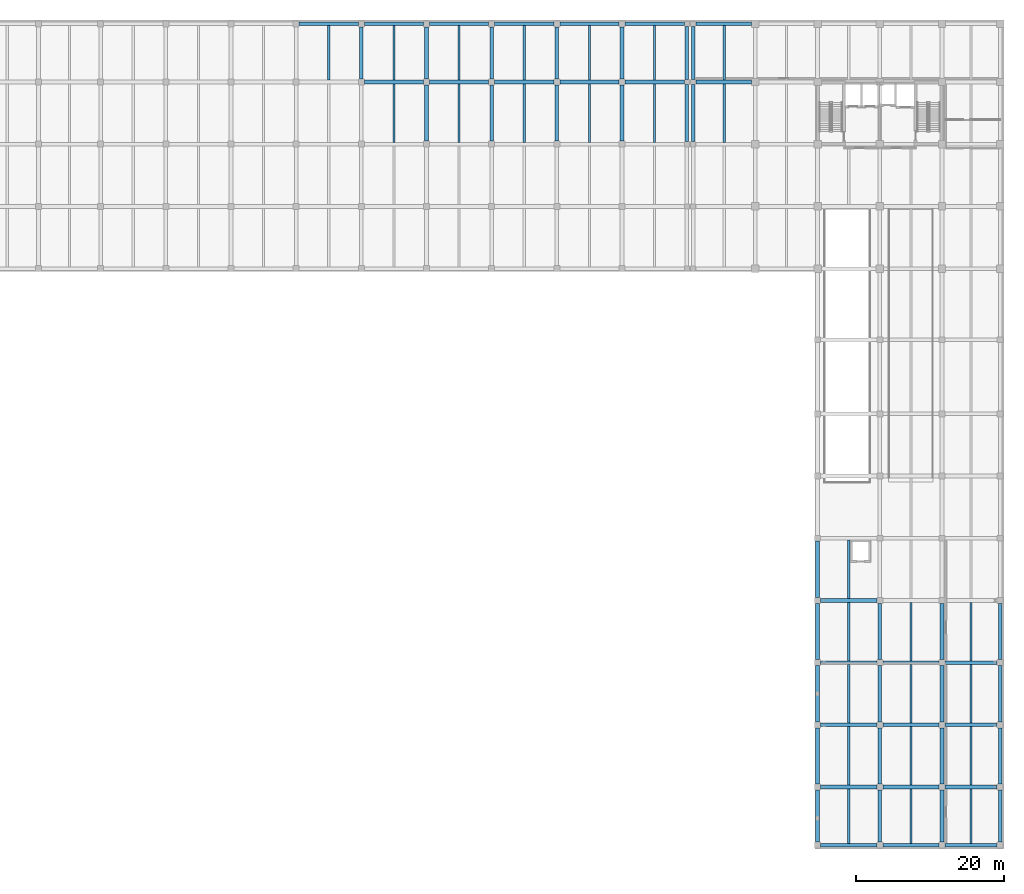
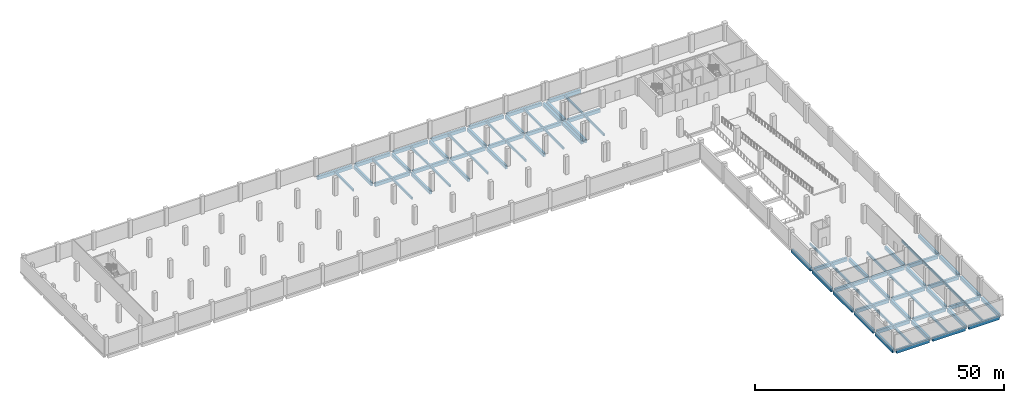
# One storey, part 6 of 17: 82 beams.
"""IFC4 building model written with IfcOpenShell, lengths in metres."""

from ifc_helpers import new_model, si_unit, direction, frame, origin, origin_2d, place, context, subcontext, project, spatial, rectangle, extrude, material, material_profile, profile_set, type_object, element, save


model = new_model("IFC4")

# Units and contexts
model_context = context("Model", 3, precision=1e-05, world=origin(), true_north=direction((0.0, 1.0)))
body_context = subcontext(model_context, "Body", "Model", "MODEL_VIEW")
ifc_project = project(units=[si_unit("LENGTHUNIT", "METRE"), si_unit("AREAUNIT", "SQUARE_METRE"), si_unit("VOLUMEUNIT", "CUBIC_METRE"), si_unit("PLANEANGLEUNIT", "RADIAN"), si_unit("MASSUNIT", "GRAM", prefix="KILO")], contexts=[model_context])

# Site, building, storey
site_placement = place(None, origin())
site = spatial("IfcSite", under=ifc_project, at=site_placement, CompositionType="ELEMENT")
building_placement = place(site_placement, origin())
building = spatial("IfcBuilding", under=site, at=building_placement, Name="Brinegate Botanical Conservatory", CompositionType="ELEMENT")
storey_placement = place(building_placement, frame((0.0, 0.0, -4.800048828125)))
storey = spatial("IfcBuildingStorey", under=building, at=storey_placement, Name="B1", CompositionType="ELEMENT", Elevation=-4.800048828125)

# Beams
ifc_material = material(Name="Concrete C40/50", Category="concrete")
ifc_material_profile_1 = material_profile(ifc_material, rectangle(XDim=0.5, YDim=0.85009765625, at=origin_2d()), Name="RC BM 500x850")
ifc_profile_set_1 = profile_set([ifc_material_profile_1], Name="Concrete C40/50")
beam_type_1 = type_object("IfcBeamType", Name="Beam_BM-B1", PredefinedType="BEAM", material=ifc_profile_set_1)
beam_1_placement = place(storey_placement, frame((139.199951171875, 0.550048828125, -0.744873046875), z_axis=(1.0, 0.0, 0.0), x_axis=(0.0, 1.0, 0.0)))
element("IfcBeam", 1, at=beam_1_placement, inside=storey, type_object=beam_type_1, Name="Beam BM-B1 B1 A:18-19", PredefinedType="BEAM", context=body_context, shape_type="SweptSolid", body=[
    extrude(rectangle(XDim=0.5, YDim=0.85009765625, at=origin_2d()), origin(), (0.0, 0.0, 1.0), 7.60009765625),
])
beam_2_placement = place(storey_placement, frame((147.60009765625, 0.550048828125, -0.744873046875), z_axis=(1.0, 0.0, 0.0), x_axis=(0.0, 1.0, 0.0)))
element("IfcBeam", 2, at=beam_2_placement, inside=storey, type_object=beam_type_1, Name="Beam BM-B1 B1 A:19-20", PredefinedType="BEAM", context=body_context, shape_type="SweptSolid", body=[
    extrude(rectangle(XDim=0.5, YDim=0.85009765625, at=origin_2d()), origin(), (0.0, 0.0, 1.0), 7.599853515625),
])
beam_3_placement = place(storey_placement, frame((156.0, 0.550048828125, -0.744873046875), z_axis=(1.0, 0.0, 0.0), x_axis=(0.0, 1.0, 0.0)))
element("IfcBeam", 3, at=beam_3_placement, inside=storey, type_object=beam_type_1, Name="Beam BM-B1 B1 A:20-21", PredefinedType="BEAM", context=body_context, shape_type="SweptSolid", body=[
    extrude(rectangle(XDim=0.5, YDim=0.85009765625, at=origin_2d()), origin(), (0.0, 0.0, 1.0), 7.050048828125),
])
beam_4_placement = place(storey_placement, frame((139.199951171875, 8.39990234375, -0.744873046875), z_axis=(1.0, 0.0, 0.0), x_axis=(0.0, 1.0, 0.0)))
element("IfcBeam", 4, at=beam_4_placement, inside=storey, type_object=beam_type_1, Name="Beam BM-B1 B1 B:18-19", PredefinedType="BEAM", context=body_context, shape_type="SweptSolid", body=[
    extrude(rectangle(XDim=0.5, YDim=0.85009765625, at=origin_2d()), origin(), (0.0, 0.0, 1.0), 7.60009765625),
])
beam_5_placement = place(storey_placement, frame((147.60009765625, 8.39990234375, -0.744873046875), z_axis=(1.0, 0.0, 0.0), x_axis=(0.0, 1.0, 0.0)))
element("IfcBeam", 5, at=beam_5_placement, inside=storey, type_object=beam_type_1, Name="Beam BM-B1 B1 B:19-20", PredefinedType="BEAM", context=body_context, shape_type="SweptSolid", body=[
    extrude(rectangle(XDim=0.5, YDim=0.85009765625, at=origin_2d()), origin(), (0.0, 0.0, 1.0), 7.599853515625),
])
beam_6_placement = place(storey_placement, frame((156.0, 8.39990234375, -0.744873046875), z_axis=(1.0, 0.0, 0.0), x_axis=(0.0, 1.0, 0.0)))
element("IfcBeam", 6, at=beam_6_placement, inside=storey, type_object=beam_type_1, Name="Beam BM-B1 B1 B:20-21", PredefinedType="BEAM", context=body_context, shape_type="SweptSolid", body=[
    extrude(rectangle(XDim=0.5, YDim=0.85009765625, at=origin_2d()), origin(), (0.0, 0.0, 1.0), 7.050048828125),
])
beam_7_placement = place(storey_placement, frame((139.199951171875, 16.800048828125, -0.744873046875), z_axis=(1.0, 0.0, 0.0), x_axis=(0.0, 1.0, 0.0)))
element("IfcBeam", 7, at=beam_7_placement, inside=storey, type_object=beam_type_1, Name="Beam BM-B1 B1 C:18-19", PredefinedType="BEAM", context=body_context, shape_type="SweptSolid", body=[
    extrude(rectangle(XDim=0.5, YDim=0.85009765625, at=origin_2d()), origin(), (0.0, 0.0, 1.0), 7.60009765625),
])
beam_8_placement = place(storey_placement, frame((147.60009765625, 16.800048828125, -0.744873046875), z_axis=(1.0, 0.0, 0.0), x_axis=(0.0, 1.0, 0.0)))
element("IfcBeam", 8, at=beam_8_placement, inside=storey, type_object=beam_type_1, Name="Beam BM-B1 B1 C:19-20", PredefinedType="BEAM", context=body_context, shape_type="SweptSolid", body=[
    extrude(rectangle(XDim=0.5, YDim=0.85009765625, at=origin_2d()), origin(), (0.0, 0.0, 1.0), 7.599853515625),
])
beam_9_placement = place(storey_placement, frame((156.0, 16.800048828125, -0.744873046875), z_axis=(1.0, 0.0, 0.0), x_axis=(0.0, 1.0, 0.0)))
element("IfcBeam", 9, at=beam_9_placement, inside=storey, type_object=beam_type_1, Name="Beam BM-B1 B1 C:20-21", PredefinedType="BEAM", context=body_context, shape_type="SweptSolid", body=[
    extrude(rectangle(XDim=0.5, YDim=0.85009765625, at=origin_2d()), origin(), (0.0, 0.0, 1.0), 7.050048828125),
])
beam_10_placement = place(storey_placement, frame((139.199951171875, 25.199951171875, -0.744873046875), z_axis=(1.0, 0.0, 0.0), x_axis=(0.0, 1.0, 0.0)))
element("IfcBeam", 10, at=beam_10_placement, inside=storey, type_object=beam_type_1, Name="Beam BM-B1 B1 D:18-19", PredefinedType="BEAM", context=body_context, shape_type="SweptSolid", body=[
    extrude(rectangle(XDim=0.5, YDim=0.85009765625, at=origin_2d()), origin(), (0.0, 0.0, 1.0), 7.60009765625),
])
beam_11_placement = place(storey_placement, frame((147.60009765625, 25.199951171875, -0.744873046875), z_axis=(1.0, 0.0, 0.0), x_axis=(0.0, 1.0, 0.0)))
element("IfcBeam", 11, at=beam_11_placement, inside=storey, type_object=beam_type_1, Name="Beam BM-B1 B1 D:19-20", PredefinedType="BEAM", context=body_context, shape_type="SweptSolid", body=[
    extrude(rectangle(XDim=0.5, YDim=0.85009765625, at=origin_2d()), origin(), (0.0, 0.0, 1.0), 7.599853515625),
])
beam_12_placement = place(storey_placement, frame((156.0, 25.199951171875, -0.744873046875), z_axis=(1.0, 0.0, 0.0), x_axis=(0.0, 1.0, 0.0)))
element("IfcBeam", 12, at=beam_12_placement, inside=storey, type_object=beam_type_1, Name="Beam BM-B1 B1 D:20-21", PredefinedType="BEAM", context=body_context, shape_type="SweptSolid", body=[
    extrude(rectangle(XDim=0.5, YDim=0.85009765625, at=origin_2d()), origin(), (0.0, 0.0, 1.0), 7.050048828125),
])
beam_13_placement = place(storey_placement, frame((139.199951171875, 33.60009765625, -0.744873046875), z_axis=(1.0, 0.0, 0.0), x_axis=(0.0, 1.0, 0.0)))
element("IfcBeam", 13, at=beam_13_placement, inside=storey, type_object=beam_type_1, Name="Beam BM-B1 B1 E:18-19", PredefinedType="BEAM", context=body_context, shape_type="SweptSolid", body=[
    extrude(rectangle(XDim=0.5, YDim=0.85009765625, at=origin_2d()), origin(), (0.0, 0.0, 1.0), 7.60009765625),
])
for number, where, z_axis, x_axis, name in (
    (14, (77.60009765625, 103.60009765625, -0.744873046875), (1.0, 0.0, 0.0), (0.0, 1.0, 0.0), "Beam BM-B1 B1 N:10-11"),
    (15, (86.39990234375, 103.60009765625, -0.744873046875), (1.0, 0.0, 0.0), (0.0, 1.0, 0.0), "Beam BM-B1 B1 N:11-12"),
    (16, (95.199951171875, 103.60009765625, -0.744873046875), (1.0, 0.0, 0.0), (0.0, 1.0, 0.0), "Beam BM-B1 B1 N:12-13"),
    (17, (104.0, 103.60009765625, -0.744873046875), (1.0, 0.0, 0.0), (0.0, 1.0, 0.0), "Beam BM-B1 B1 N:13-14"),
    (18, (112.800048828125, 103.60009765625, -0.744873046875), (1.0, 0.0, 0.0), (0.0, 1.0, 0.0), "Beam BM-B1 B1 N:14-15"),
):
    element("IfcBeam", number, at=place(storey_placement, frame(where, z_axis=z_axis, x_axis=x_axis)), inside=storey, type_object=beam_type_1, Name=name, PredefinedType="BEAM", context=body_context, shape_type="SweptSolid", body=[
        extrude(rectangle(XDim=0.5, YDim=0.85009765625, at=origin_2d()), origin(), (0.0, 0.0, 1.0), 8.0),
    ])
beam_14_placement = place(storey_placement, frame((122.35009765625, 103.60009765625, -0.744873046875), z_axis=(1.0, 0.0, 0.0), x_axis=(0.0, 1.0, 0.0)))
element("IfcBeam", 19, at=beam_14_placement, inside=storey, type_object=beam_type_1, Name="Beam BM-B1 B1 N:16-17", PredefinedType="BEAM", context=body_context, shape_type="SweptSolid", body=[
    extrude(rectangle(XDim=0.5, YDim=0.85009765625, at=origin_2d()), origin(), (0.0, 0.0, 1.0), 7.5498046875),
])
for number, where, z_axis, x_axis, name in (
    (20, (68.800048828125, 111.449951171875, -0.744873046875), (1.0, 0.0, 0.0), (0.0, 1.0, 0.0), "Beam BM-B1 B1 P:9-10"),
    (21, (77.60009765625, 111.449951171875, -0.744873046875), (1.0, 0.0, 0.0), (0.0, 1.0, 0.0), "Beam BM-B1 B1 P:10-11"),
    (22, (86.39990234375, 111.449951171875, -0.744873046875), (1.0, 0.0, 0.0), (0.0, 1.0, 0.0), "Beam BM-B1 B1 P:11-12"),
    (23, (95.199951171875, 111.449951171875, -0.744873046875), (1.0, 0.0, 0.0), (0.0, 1.0, 0.0), "Beam BM-B1 B1 P:12-13"),
    (24, (104.0, 111.449951171875, -0.744873046875), (1.0, 0.0, 0.0), (0.0, 1.0, 0.0), "Beam BM-B1 B1 P:13-14"),
    (25, (112.800048828125, 111.449951171875, -0.744873046875), (1.0, 0.0, 0.0), (0.0, 1.0, 0.0), "Beam BM-B1 B1 P:14-15"),
):
    element("IfcBeam", number, at=place(storey_placement, frame(where, z_axis=z_axis, x_axis=x_axis)), inside=storey, type_object=beam_type_1, Name=name, PredefinedType="BEAM", context=body_context, shape_type="SweptSolid", body=[
        extrude(rectangle(XDim=0.5, YDim=0.85009765625, at=origin_2d()), origin(), (0.0, 0.0, 1.0), 8.0),
    ])
beam_15_placement = place(storey_placement, frame((122.35009765625, 111.449951171875, -0.744873046875), z_axis=(1.0, 0.0, 0.0), x_axis=(0.0, 1.0, 0.0)))
element("IfcBeam", 26, at=beam_15_placement, inside=storey, type_object=beam_type_1, Name="Beam BM-B1 B1 P:16-17", PredefinedType="BEAM", context=body_context, shape_type="SweptSolid", body=[
    extrude(rectangle(XDim=0.5, YDim=0.85009765625, at=origin_2d()), origin(), (0.0, 0.0, 1.0), 7.5498046875),
])
beam_16_placement = place(storey_placement, frame((77.199951171875, 104.0, -0.744873046875), z_axis=(0.0, 1.0, 0.0), x_axis=(-1.0, 0.0, 0.0)))
element("IfcBeam", 27, at=beam_16_placement, inside=storey, type_object=beam_type_1, Name="Beam BM-B1 B1 10:N-P", PredefinedType="BEAM", context=body_context, shape_type="SweptSolid", body=[
    extrude(rectangle(XDim=0.5, YDim=0.85009765625, at=origin_2d()), origin(), (0.0, 0.0, 1.0), 7.050048828125),
])
beam_17_placement = place(storey_placement, frame((86.0, 95.60009765625, -0.744873046875), z_axis=(0.0, 1.0, 0.0), x_axis=(-1.0, 0.0, 0.0)))
element("IfcBeam", 28, at=beam_17_placement, inside=storey, type_object=beam_type_1, Name="Beam BM-B1 B1 11:M-N", PredefinedType="BEAM", context=body_context, shape_type="SweptSolid", body=[
    extrude(rectangle(XDim=0.5, YDim=0.85009765625, at=origin_2d()), origin(), (0.0, 0.0, 1.0), 7.599853515625),
])
beam_18_placement = place(storey_placement, frame((86.0, 104.0, -0.744873046875), z_axis=(0.0, 1.0, 0.0), x_axis=(-1.0, 0.0, 0.0)))
element("IfcBeam", 29, at=beam_18_placement, inside=storey, type_object=beam_type_1, Name="Beam BM-B1 B1 11:N-P", PredefinedType="BEAM", context=body_context, shape_type="SweptSolid", body=[
    extrude(rectangle(XDim=0.5, YDim=0.85009765625, at=origin_2d()), origin(), (0.0, 0.0, 1.0), 7.050048828125),
])
beam_19_placement = place(storey_placement, frame((94.800048828125, 95.60009765625, -0.744873046875), z_axis=(0.0, 1.0, 0.0), x_axis=(-1.0, 0.0, 0.0)))
element("IfcBeam", 30, at=beam_19_placement, inside=storey, type_object=beam_type_1, Name="Beam BM-B1 B1 12:M-N", PredefinedType="BEAM", context=body_context, shape_type="SweptSolid", body=[
    extrude(rectangle(XDim=0.5, YDim=0.85009765625, at=origin_2d()), origin(), (0.0, 0.0, 1.0), 7.599853515625),
])
beam_20_placement = place(storey_placement, frame((94.800048828125, 104.0, -0.744873046875), z_axis=(0.0, 1.0, 0.0), x_axis=(-1.0, 0.0, 0.0)))
element("IfcBeam", 31, at=beam_20_placement, inside=storey, type_object=beam_type_1, Name="Beam BM-B1 B1 12:N-P", PredefinedType="BEAM", context=body_context, shape_type="SweptSolid", body=[
    extrude(rectangle(XDim=0.5, YDim=0.85009765625, at=origin_2d()), origin(), (0.0, 0.0, 1.0), 7.050048828125),
])
beam_21_placement = place(storey_placement, frame((103.60009765625, 95.60009765625, -0.744873046875), z_axis=(0.0, 1.0, 0.0), x_axis=(-1.0, 0.0, 0.0)))
element("IfcBeam", 32, at=beam_21_placement, inside=storey, type_object=beam_type_1, Name="Beam BM-B1 B1 13:M-N", PredefinedType="BEAM", context=body_context, shape_type="SweptSolid", body=[
    extrude(rectangle(XDim=0.5, YDim=0.85009765625, at=origin_2d()), origin(), (0.0, 0.0, 1.0), 7.599853515625),
])
beam_22_placement = place(storey_placement, frame((103.60009765625, 104.0, -0.744873046875), z_axis=(0.0, 1.0, 0.0), x_axis=(-1.0, 0.0, 0.0)))
element("IfcBeam", 33, at=beam_22_placement, inside=storey, type_object=beam_type_1, Name="Beam BM-B1 B1 13:N-P", PredefinedType="BEAM", context=body_context, shape_type="SweptSolid", body=[
    extrude(rectangle(XDim=0.5, YDim=0.85009765625, at=origin_2d()), origin(), (0.0, 0.0, 1.0), 7.050048828125),
])
beam_23_placement = place(storey_placement, frame((112.39990234375, 95.60009765625, -0.744873046875), z_axis=(0.0, 1.0, 0.0), x_axis=(-1.0, 0.0, 0.0)))
element("IfcBeam", 34, at=beam_23_placement, inside=storey, type_object=beam_type_1, Name="Beam BM-B1 B1 14:M-N", PredefinedType="BEAM", context=body_context, shape_type="SweptSolid", body=[
    extrude(rectangle(XDim=0.5, YDim=0.85009765625, at=origin_2d()), origin(), (0.0, 0.0, 1.0), 7.599853515625),
])
beam_24_placement = place(storey_placement, frame((112.39990234375, 104.0, -0.744873046875), z_axis=(0.0, 1.0, 0.0), x_axis=(-1.0, 0.0, 0.0)))
element("IfcBeam", 35, at=beam_24_placement, inside=storey, type_object=beam_type_1, Name="Beam BM-B1 B1 14:N-P", PredefinedType="BEAM", context=body_context, shape_type="SweptSolid", body=[
    extrude(rectangle(XDim=0.5, YDim=0.85009765625, at=origin_2d()), origin(), (0.0, 0.0, 1.0), 7.050048828125),
])
beam_25_placement = place(storey_placement, frame((121.14990234375, 95.550048828125, -0.744873046875), z_axis=(0.0, 1.0, 0.0), x_axis=(-1.0, 0.0, 0.0)))
element("IfcBeam", 36, at=beam_25_placement, inside=storey, type_object=beam_type_1, Name="Beam BM-B1 B1 15:M-N", PredefinedType="BEAM", context=body_context, shape_type="SweptSolid", body=[
    extrude(rectangle(XDim=0.5, YDim=0.85009765625, at=origin_2d()), origin(), (0.0, 0.0, 1.0), 7.699951171875),
])
beam_26_placement = place(storey_placement, frame((121.14990234375, 103.949951171875, -0.744873046875), z_axis=(0.0, 1.0, 0.0), x_axis=(-1.0, 0.0, 0.0)))
element("IfcBeam", 37, at=beam_26_placement, inside=storey, type_object=beam_type_1, Name="Beam BM-B1 B1 15:N-P", PredefinedType="BEAM", context=body_context, shape_type="SweptSolid", body=[
    extrude(rectangle(XDim=0.5, YDim=0.85009765625, at=origin_2d()), origin(), (0.0, 0.0, 1.0), 7.150146484375),
])
beam_27_placement = place(storey_placement, frame((122.0, 95.550048828125, -0.744873046875), z_axis=(0.0, 1.0, 0.0), x_axis=(-1.0, 0.0, 0.0)))
element("IfcBeam", 38, at=beam_27_placement, inside=storey, type_object=beam_type_1, Name="Beam BM-B1 B1 16:M-N", PredefinedType="BEAM", context=body_context, shape_type="SweptSolid", body=[
    extrude(rectangle(XDim=0.5, YDim=0.85009765625, at=origin_2d()), origin(), (0.0, 0.0, 1.0), 7.699951171875),
])
beam_28_placement = place(storey_placement, frame((122.0, 103.949951171875, -0.744873046875), z_axis=(0.0, 1.0, 0.0), x_axis=(-1.0, 0.0, 0.0)))
element("IfcBeam", 39, at=beam_28_placement, inside=storey, type_object=beam_type_1, Name="Beam BM-B1 B1 16:N-P", PredefinedType="BEAM", context=body_context, shape_type="SweptSolid", body=[
    extrude(rectangle(XDim=0.5, YDim=0.85009765625, at=origin_2d()), origin(), (0.0, 0.0, 1.0), 7.150146484375),
])
beam_29_placement = place(storey_placement, frame((138.800048828125, 0.949951171875, -0.744873046875), z_axis=(0.0, 1.0, 0.0), x_axis=(-1.0, 0.0, 0.0)))
element("IfcBeam", 40, at=beam_29_placement, inside=storey, type_object=beam_type_1, Name="Beam BM-B1 B1 18:A-B", PredefinedType="BEAM", context=body_context, shape_type="SweptSolid", body=[
    extrude(rectangle(XDim=0.5, YDim=0.85009765625, at=origin_2d()), origin(), (0.0, 0.0, 1.0), 7.050048828125),
])
beam_30_placement = place(storey_placement, frame((138.800048828125, 8.800048828125, -0.744873046875), z_axis=(0.0, 1.0, 0.0), x_axis=(-1.0, 0.0, 0.0)))
element("IfcBeam", 41, at=beam_30_placement, inside=storey, type_object=beam_type_1, Name="Beam BM-B1 B1 18:B-C", PredefinedType="BEAM", context=body_context, shape_type="SweptSolid", body=[
    extrude(rectangle(XDim=0.5, YDim=0.85009765625, at=origin_2d()), origin(), (0.0, 0.0, 1.0), 7.599853515625),
])
beam_31_placement = place(storey_placement, frame((138.800048828125, 17.199951171875, -0.744873046875), z_axis=(0.0, 1.0, 0.0), x_axis=(-1.0, 0.0, 0.0)))
element("IfcBeam", 42, at=beam_31_placement, inside=storey, type_object=beam_type_1, Name="Beam BM-B1 B1 18:C-D", PredefinedType="BEAM", context=body_context, shape_type="SweptSolid", body=[
    extrude(rectangle(XDim=0.5, YDim=0.85009765625, at=origin_2d()), origin(), (0.0, 0.0, 1.0), 7.60009765625),
])
beam_32_placement = place(storey_placement, frame((138.800048828125, 25.60009765625, -0.744873046875), z_axis=(0.0, 1.0, 0.0), x_axis=(-1.0, 0.0, 0.0)))
element("IfcBeam", 43, at=beam_32_placement, inside=storey, type_object=beam_type_1, Name="Beam BM-B1 B1 18:D-E", PredefinedType="BEAM", context=body_context, shape_type="SweptSolid", body=[
    extrude(rectangle(XDim=0.5, YDim=0.85009765625, at=origin_2d()), origin(), (0.0, 0.0, 1.0), 7.599853515625),
])
beam_33_placement = place(storey_placement, frame((138.800048828125, 34.0, -0.744873046875), z_axis=(0.0, 1.0, 0.0), x_axis=(-1.0, 0.0, 0.0)))
element("IfcBeam", 44, at=beam_33_placement, inside=storey, type_object=beam_type_1, Name="Beam BM-B1 B1 18:E-F", PredefinedType="BEAM", context=body_context, shape_type="SweptSolid", body=[
    extrude(rectangle(XDim=0.5, YDim=0.85009765625, at=origin_2d()), origin(), (0.0, 0.0, 1.0), 7.60009765625),
])
beam_34_placement = place(storey_placement, frame((147.199951171875, 0.949951171875, -0.744873046875), z_axis=(0.0, 1.0, 0.0), x_axis=(-1.0, 0.0, 0.0)))
element("IfcBeam", 45, at=beam_34_placement, inside=storey, type_object=beam_type_1, Name="Beam BM-B1 B1 19:A-B", PredefinedType="BEAM", context=body_context, shape_type="SweptSolid", body=[
    extrude(rectangle(XDim=0.5, YDim=0.85009765625, at=origin_2d()), origin(), (0.0, 0.0, 1.0), 7.050048828125),
])
beam_35_placement = place(storey_placement, frame((147.199951171875, 8.800048828125, -0.744873046875), z_axis=(0.0, 1.0, 0.0), x_axis=(-1.0, 0.0, 0.0)))
element("IfcBeam", 46, at=beam_35_placement, inside=storey, type_object=beam_type_1, Name="Beam BM-B1 B1 19:B-C", PredefinedType="BEAM", context=body_context, shape_type="SweptSolid", body=[
    extrude(rectangle(XDim=0.5, YDim=0.85009765625, at=origin_2d()), origin(), (0.0, 0.0, 1.0), 7.599853515625),
])
beam_36_placement = place(storey_placement, frame((147.199951171875, 17.199951171875, -0.744873046875), z_axis=(0.0, 1.0, 0.0), x_axis=(-1.0, 0.0, 0.0)))
element("IfcBeam", 47, at=beam_36_placement, inside=storey, type_object=beam_type_1, Name="Beam BM-B1 B1 19:C-D", PredefinedType="BEAM", context=body_context, shape_type="SweptSolid", body=[
    extrude(rectangle(XDim=0.5, YDim=0.85009765625, at=origin_2d()), origin(), (0.0, 0.0, 1.0), 7.60009765625),
])
beam_37_placement = place(storey_placement, frame((147.199951171875, 25.60009765625, -0.744873046875), z_axis=(0.0, 1.0, 0.0), x_axis=(-1.0, 0.0, 0.0)))
element("IfcBeam", 48, at=beam_37_placement, inside=storey, type_object=beam_type_1, Name="Beam BM-B1 B1 19:D-E", PredefinedType="BEAM", context=body_context, shape_type="SweptSolid", body=[
    extrude(rectangle(XDim=0.5, YDim=0.85009765625, at=origin_2d()), origin(), (0.0, 0.0, 1.0), 7.599853515625),
])
beam_38_placement = place(storey_placement, frame((155.60009765625, 0.949951171875, -0.744873046875), z_axis=(0.0, 1.0, 0.0), x_axis=(-1.0, 0.0, 0.0)))
element("IfcBeam", 49, at=beam_38_placement, inside=storey, type_object=beam_type_1, Name="Beam BM-B1 B1 20:A-B", PredefinedType="BEAM", context=body_context, shape_type="SweptSolid", body=[
    extrude(rectangle(XDim=0.5, YDim=0.85009765625, at=origin_2d()), origin(), (0.0, 0.0, 1.0), 7.050048828125),
])
beam_39_placement = place(storey_placement, frame((155.60009765625, 8.800048828125, -0.744873046875), z_axis=(0.0, 1.0, 0.0), x_axis=(-1.0, 0.0, 0.0)))
element("IfcBeam", 50, at=beam_39_placement, inside=storey, type_object=beam_type_1, Name="Beam BM-B1 B1 20:B-C", PredefinedType="BEAM", context=body_context, shape_type="SweptSolid", body=[
    extrude(rectangle(XDim=0.5, YDim=0.85009765625, at=origin_2d()), origin(), (0.0, 0.0, 1.0), 7.599853515625),
])
beam_40_placement = place(storey_placement, frame((155.60009765625, 17.199951171875, -0.744873046875), z_axis=(0.0, 1.0, 0.0), x_axis=(-1.0, 0.0, 0.0)))
element("IfcBeam", 51, at=beam_40_placement, inside=storey, type_object=beam_type_1, Name="Beam BM-B1 B1 20:C-D", PredefinedType="BEAM", context=body_context, shape_type="SweptSolid", body=[
    extrude(rectangle(XDim=0.5, YDim=0.85009765625, at=origin_2d()), origin(), (0.0, 0.0, 1.0), 7.60009765625),
])
beam_41_placement = place(storey_placement, frame((155.60009765625, 25.60009765625, -0.744873046875), z_axis=(0.0, 1.0, 0.0), x_axis=(-1.0, 0.0, 0.0)))
element("IfcBeam", 52, at=beam_41_placement, inside=storey, type_object=beam_type_1, Name="Beam BM-B1 B1 20:D-E", PredefinedType="BEAM", context=body_context, shape_type="SweptSolid", body=[
    extrude(rectangle(XDim=0.5, YDim=0.85009765625, at=origin_2d()), origin(), (0.0, 0.0, 1.0), 7.599853515625),
])
beam_42_placement = place(storey_placement, frame((163.449951171875, 0.949951171875, -0.744873046875), z_axis=(0.0, 1.0, 0.0), x_axis=(-1.0, 0.0, 0.0)))
element("IfcBeam", 53, at=beam_42_placement, inside=storey, type_object=beam_type_1, Name="Beam BM-B1 B1 21:A-B", PredefinedType="BEAM", context=body_context, shape_type="SweptSolid", body=[
    extrude(rectangle(XDim=0.5, YDim=0.85009765625, at=origin_2d()), origin(), (0.0, 0.0, 1.0), 7.050048828125),
])
beam_43_placement = place(storey_placement, frame((163.449951171875, 8.800048828125, -0.744873046875), z_axis=(0.0, 1.0, 0.0), x_axis=(-1.0, 0.0, 0.0)))
element("IfcBeam", 54, at=beam_43_placement, inside=storey, type_object=beam_type_1, Name="Beam BM-B1 B1 21:B-C", PredefinedType="BEAM", context=body_context, shape_type="SweptSolid", body=[
    extrude(rectangle(XDim=0.5, YDim=0.85009765625, at=origin_2d()), origin(), (0.0, 0.0, 1.0), 7.599853515625),
])
beam_44_placement = place(storey_placement, frame((163.449951171875, 17.199951171875, -0.744873046875), z_axis=(0.0, 1.0, 0.0), x_axis=(-1.0, 0.0, 0.0)))
element("IfcBeam", 55, at=beam_44_placement, inside=storey, type_object=beam_type_1, Name="Beam BM-B1 B1 21:C-D", PredefinedType="BEAM", context=body_context, shape_type="SweptSolid", body=[
    extrude(rectangle(XDim=0.5, YDim=0.85009765625, at=origin_2d()), origin(), (0.0, 0.0, 1.0), 7.60009765625),
])
beam_45_placement = place(storey_placement, frame((163.449951171875, 25.60009765625, -0.744873046875), z_axis=(0.0, 1.0, 0.0), x_axis=(-1.0, 0.0, 0.0)))
element("IfcBeam", 56, at=beam_45_placement, inside=storey, type_object=beam_type_1, Name="Beam BM-B1 B1 21:D-E", PredefinedType="BEAM", context=body_context, shape_type="SweptSolid", body=[
    extrude(rectangle(XDim=0.5, YDim=0.85009765625, at=origin_2d()), origin(), (0.0, 0.0, 1.0), 7.599853515625),
])
ifc_material_profile_2 = material_profile(ifc_material, rectangle(XDim=0.300048828125, YDim=0.550048828125, at=origin_2d()), Name="RC JST 300x550")
ifc_profile_set_2 = profile_set([ifc_material_profile_2], Name="Concrete C40/50")
beam_type_2 = type_object("IfcBeamType", Name="Beam_JS-C1", PredefinedType="JOIST", material=ifc_profile_set_2)
beam_46_placement = place(storey_placement, frame((72.800048828125, 103.85009765625, -0.594970703125), z_axis=(0.0, 1.0, 0.0), x_axis=(-1.0, 0.0, 0.0)))
element("IfcBeam", 57, at=beam_46_placement, inside=storey, type_object=beam_type_2, Name="Floor joist JS-C1 B1 bay 9.13", PredefinedType="JOIST", context=body_context, shape_type="SweptSolid", body=[
    extrude(rectangle(XDim=0.300048828125, YDim=0.550048828125, at=origin_2d()), origin(), (0.0, 0.0, 1.0), 7.349853515625),
])
beam_47_placement = place(storey_placement, frame((81.60009765625, 95.449951171875, -0.594970703125), z_axis=(0.0, 1.0, 0.0), x_axis=(-1.0, 0.0, 0.0)))
element("IfcBeam", 58, at=beam_47_placement, inside=storey, type_object=beam_type_2, Name="Floor joist JS-C1 B1 bay 10.12", PredefinedType="JOIST", context=body_context, shape_type="SweptSolid", body=[
    extrude(rectangle(XDim=0.300048828125, YDim=0.550048828125, at=origin_2d()), origin(), (0.0, 0.0, 1.0), 7.900146484375),
])
beam_48_placement = place(storey_placement, frame((81.60009765625, 103.85009765625, -0.594970703125), z_axis=(0.0, 1.0, 0.0), x_axis=(-1.0, 0.0, 0.0)))
element("IfcBeam", 59, at=beam_48_placement, inside=storey, type_object=beam_type_2, Name="Floor joist JS-C1 B1 bay 10.13", PredefinedType="JOIST", context=body_context, shape_type="SweptSolid", body=[
    extrude(rectangle(XDim=0.300048828125, YDim=0.550048828125, at=origin_2d()), origin(), (0.0, 0.0, 1.0), 7.349853515625),
])
beam_49_placement = place(storey_placement, frame((90.39990234375, 95.449951171875, -0.594970703125), z_axis=(0.0, 1.0, 0.0), x_axis=(-1.0, 0.0, 0.0)))
element("IfcBeam", 60, at=beam_49_placement, inside=storey, type_object=beam_type_2, Name="Floor joist JS-C1 B1 bay 11.12", PredefinedType="JOIST", context=body_context, shape_type="SweptSolid", body=[
    extrude(rectangle(XDim=0.300048828125, YDim=0.550048828125, at=origin_2d()), origin(), (0.0, 0.0, 1.0), 7.900146484375),
])
beam_50_placement = place(storey_placement, frame((90.39990234375, 103.85009765625, -0.594970703125), z_axis=(0.0, 1.0, 0.0), x_axis=(-1.0, 0.0, 0.0)))
element("IfcBeam", 61, at=beam_50_placement, inside=storey, type_object=beam_type_2, Name="Floor joist JS-C1 B1 bay 11.13", PredefinedType="JOIST", context=body_context, shape_type="SweptSolid", body=[
    extrude(rectangle(XDim=0.300048828125, YDim=0.550048828125, at=origin_2d()), origin(), (0.0, 0.0, 1.0), 7.349853515625),
])
beam_51_placement = place(storey_placement, frame((99.199951171875, 95.449951171875, -0.594970703125), z_axis=(0.0, 1.0, 0.0), x_axis=(-1.0, 0.0, 0.0)))
element("IfcBeam", 62, at=beam_51_placement, inside=storey, type_object=beam_type_2, Name="Floor joist JS-C1 B1 bay 12.12", PredefinedType="JOIST", context=body_context, shape_type="SweptSolid", body=[
    extrude(rectangle(XDim=0.300048828125, YDim=0.550048828125, at=origin_2d()), origin(), (0.0, 0.0, 1.0), 7.900146484375),
])
beam_52_placement = place(storey_placement, frame((99.199951171875, 103.85009765625, -0.594970703125), z_axis=(0.0, 1.0, 0.0), x_axis=(-1.0, 0.0, 0.0)))
element("IfcBeam", 63, at=beam_52_placement, inside=storey, type_object=beam_type_2, Name="Floor joist JS-C1 B1 bay 12.13", PredefinedType="JOIST", context=body_context, shape_type="SweptSolid", body=[
    extrude(rectangle(XDim=0.300048828125, YDim=0.550048828125, at=origin_2d()), origin(), (0.0, 0.0, 1.0), 7.349853515625),
])
beam_53_placement = place(storey_placement, frame((108.0, 95.449951171875, -0.594970703125), z_axis=(0.0, 1.0, 0.0), x_axis=(-1.0, 0.0, 0.0)))
element("IfcBeam", 64, at=beam_53_placement, inside=storey, type_object=beam_type_2, Name="Floor joist JS-C1 B1 bay 13.12", PredefinedType="JOIST", context=body_context, shape_type="SweptSolid", body=[
    extrude(rectangle(XDim=0.300048828125, YDim=0.550048828125, at=origin_2d()), origin(), (0.0, 0.0, 1.0), 7.900146484375),
])
beam_54_placement = place(storey_placement, frame((108.0, 103.85009765625, -0.594970703125), z_axis=(0.0, 1.0, 0.0), x_axis=(-1.0, 0.0, 0.0)))
element("IfcBeam", 65, at=beam_54_placement, inside=storey, type_object=beam_type_2, Name="Floor joist JS-C1 B1 bay 13.13", PredefinedType="JOIST", context=body_context, shape_type="SweptSolid", body=[
    extrude(rectangle(XDim=0.300048828125, YDim=0.550048828125, at=origin_2d()), origin(), (0.0, 0.0, 1.0), 7.349853515625),
])
beam_55_placement = place(storey_placement, frame((116.77490234375, 95.449951171875, -0.594970703125), z_axis=(0.0, 1.0, 0.0), x_axis=(-1.0, 0.0, 0.0)))
element("IfcBeam", 66, at=beam_55_placement, inside=storey, type_object=beam_type_2, Name="Floor joist JS-C1 B1 bay 14.12", PredefinedType="JOIST", context=body_context, shape_type="SweptSolid", body=[
    extrude(rectangle(XDim=0.300048828125, YDim=0.550048828125, at=origin_2d()), origin(), (0.0, 0.0, 1.0), 7.900146484375),
])
beam_56_placement = place(storey_placement, frame((116.77490234375, 103.85009765625, -0.594970703125), z_axis=(0.0, 1.0, 0.0), x_axis=(-1.0, 0.0, 0.0)))
element("IfcBeam", 67, at=beam_56_placement, inside=storey, type_object=beam_type_2, Name="Floor joist JS-C1 B1 bay 14.13", PredefinedType="JOIST", context=body_context, shape_type="SweptSolid", body=[
    extrude(rectangle(XDim=0.300048828125, YDim=0.550048828125, at=origin_2d()), origin(), (0.0, 0.0, 1.0), 7.349853515625),
])
beam_57_placement = place(storey_placement, frame((126.199951171875, 95.449951171875, -0.594970703125), z_axis=(0.0, 1.0, 0.0), x_axis=(-1.0, 0.0, 0.0)))
element("IfcBeam", 68, at=beam_57_placement, inside=storey, type_object=beam_type_2, Name="Floor joist JS-C1 B1 bay 16.12", PredefinedType="JOIST", context=body_context, shape_type="SweptSolid", body=[
    extrude(rectangle(XDim=0.300048828125, YDim=0.550048828125, at=origin_2d()), origin(), (0.0, 0.0, 1.0), 7.900146484375),
])
for number, where, z_axis, x_axis, name in (
    (69, (126.199951171875, 103.85009765625, -0.594970703125), (0.0, 1.0, 0.0), (-1.0, 0.0, 0.0), "Floor joist JS-C1 B1 bay 16.13"),
    (70, (143.0, 0.800048828125, -0.594970703125), (0.0, 1.0, 0.0), (-1.0, 0.0, 0.0), "Floor joist JS-C1 B1 bay 18.1"),
):
    element("IfcBeam", number, at=place(storey_placement, frame(where, z_axis=z_axis, x_axis=x_axis)), inside=storey, type_object=beam_type_2, Name=name, PredefinedType="JOIST", context=body_context, shape_type="SweptSolid", body=[
        extrude(rectangle(XDim=0.300048828125, YDim=0.550048828125, at=origin_2d()), origin(), (0.0, 0.0, 1.0), 7.349853515625),
    ])
beam_58_placement = place(storey_placement, frame((143.0, 8.64990234375, -0.594970703125), z_axis=(0.0, 1.0, 0.0), x_axis=(-1.0, 0.0, 0.0)))
element("IfcBeam", 71, at=beam_58_placement, inside=storey, type_object=beam_type_2, Name="Floor joist JS-C1 B1 bay 18.2", PredefinedType="JOIST", context=body_context, shape_type="SweptSolid", body=[
    extrude(rectangle(XDim=0.300048828125, YDim=0.550048828125, at=origin_2d()), origin(), (0.0, 0.0, 1.0), 7.900146484375),
])
beam_59_placement = place(storey_placement, frame((143.0, 17.050048828125, -0.594970703125), z_axis=(0.0, 1.0, 0.0), x_axis=(-1.0, 0.0, 0.0)))
element("IfcBeam", 72, at=beam_59_placement, inside=storey, type_object=beam_type_2, Name="Floor joist JS-C1 B1 bay 18.3", PredefinedType="JOIST", context=body_context, shape_type="SweptSolid", body=[
    extrude(rectangle(XDim=0.300048828125, YDim=0.550048828125, at=origin_2d()), origin(), (0.0, 0.0, 1.0), 7.89990234375),
])
beam_60_placement = place(storey_placement, frame((143.0, 25.449951171875, -0.594970703125), z_axis=(0.0, 1.0, 0.0), x_axis=(-1.0, 0.0, 0.0)))
element("IfcBeam", 73, at=beam_60_placement, inside=storey, type_object=beam_type_2, Name="Floor joist JS-C1 B1 bay 18.4", PredefinedType="JOIST", context=body_context, shape_type="SweptSolid", body=[
    extrude(rectangle(XDim=0.300048828125, YDim=0.550048828125, at=origin_2d()), origin(), (0.0, 0.0, 1.0), 7.900146484375),
])
beam_61_placement = place(storey_placement, frame((143.0, 33.85009765625, -0.594970703125), z_axis=(0.0, 1.0, 0.0), x_axis=(-1.0, 0.0, 0.0)))
element("IfcBeam", 74, at=beam_61_placement, inside=storey, type_object=beam_type_2, Name="Floor joist JS-C1 B1 bay 18.5", PredefinedType="JOIST", context=body_context, shape_type="SweptSolid", body=[
    extrude(rectangle(XDim=0.300048828125, YDim=0.550048828125, at=origin_2d()), origin(), (0.0, 0.0, 1.0), 7.89990234375),
])
beam_62_placement = place(storey_placement, frame((151.39990234375, 0.800048828125, -0.594970703125), z_axis=(0.0, 1.0, 0.0), x_axis=(-1.0, 0.0, 0.0)))
element("IfcBeam", 75, at=beam_62_placement, inside=storey, type_object=beam_type_2, Name="Floor joist JS-C1 B1 bay 19.1", PredefinedType="JOIST", context=body_context, shape_type="SweptSolid", body=[
    extrude(rectangle(XDim=0.300048828125, YDim=0.550048828125, at=origin_2d()), origin(), (0.0, 0.0, 1.0), 7.349853515625),
])
beam_63_placement = place(storey_placement, frame((151.39990234375, 8.64990234375, -0.594970703125), z_axis=(0.0, 1.0, 0.0), x_axis=(-1.0, 0.0, 0.0)))
element("IfcBeam", 76, at=beam_63_placement, inside=storey, type_object=beam_type_2, Name="Floor joist JS-C1 B1 bay 19.2", PredefinedType="JOIST", context=body_context, shape_type="SweptSolid", body=[
    extrude(rectangle(XDim=0.300048828125, YDim=0.550048828125, at=origin_2d()), origin(), (0.0, 0.0, 1.0), 7.900146484375),
])
beam_64_placement = place(storey_placement, frame((151.39990234375, 17.050048828125, -0.594970703125), z_axis=(0.0, 1.0, 0.0), x_axis=(-1.0, 0.0, 0.0)))
element("IfcBeam", 77, at=beam_64_placement, inside=storey, type_object=beam_type_2, Name="Floor joist JS-C1 B1 bay 19.3", PredefinedType="JOIST", context=body_context, shape_type="SweptSolid", body=[
    extrude(rectangle(XDim=0.300048828125, YDim=0.550048828125, at=origin_2d()), origin(), (0.0, 0.0, 1.0), 7.89990234375),
])
beam_65_placement = place(storey_placement, frame((151.39990234375, 25.449951171875, -0.594970703125), z_axis=(0.0, 1.0, 0.0), x_axis=(-1.0, 0.0, 0.0)))
element("IfcBeam", 78, at=beam_65_placement, inside=storey, type_object=beam_type_2, Name="Floor joist JS-C1 B1 bay 19.4", PredefinedType="JOIST", context=body_context, shape_type="SweptSolid", body=[
    extrude(rectangle(XDim=0.300048828125, YDim=0.550048828125, at=origin_2d()), origin(), (0.0, 0.0, 1.0), 7.900146484375),
])
beam_66_placement = place(storey_placement, frame((159.52490234375, 0.800048828125, -0.594970703125), z_axis=(0.0, 1.0, 0.0), x_axis=(-1.0, 0.0, 0.0)))
element("IfcBeam", 79, at=beam_66_placement, inside=storey, type_object=beam_type_2, Name="Floor joist JS-C1 B1 bay 20.1", PredefinedType="JOIST", context=body_context, shape_type="SweptSolid", body=[
    extrude(rectangle(XDim=0.300048828125, YDim=0.550048828125, at=origin_2d()), origin(), (0.0, 0.0, 1.0), 7.349853515625),
])
beam_67_placement = place(storey_placement, frame((159.52490234375, 8.64990234375, -0.594970703125), z_axis=(0.0, 1.0, 0.0), x_axis=(-1.0, 0.0, 0.0)))
element("IfcBeam", 80, at=beam_67_placement, inside=storey, type_object=beam_type_2, Name="Floor joist JS-C1 B1 bay 20.2", PredefinedType="JOIST", context=body_context, shape_type="SweptSolid", body=[
    extrude(rectangle(XDim=0.300048828125, YDim=0.550048828125, at=origin_2d()), origin(), (0.0, 0.0, 1.0), 7.900146484375),
])
beam_68_placement = place(storey_placement, frame((159.52490234375, 17.050048828125, -0.594970703125), z_axis=(0.0, 1.0, 0.0), x_axis=(-1.0, 0.0, 0.0)))
element("IfcBeam", 81, at=beam_68_placement, inside=storey, type_object=beam_type_2, Name="Floor joist JS-C1 B1 bay 20.3", PredefinedType="JOIST", context=body_context, shape_type="SweptSolid", body=[
    extrude(rectangle(XDim=0.300048828125, YDim=0.550048828125, at=origin_2d()), origin(), (0.0, 0.0, 1.0), 7.89990234375),
])
beam_69_placement = place(storey_placement, frame((159.52490234375, 25.449951171875, -0.594970703125), z_axis=(0.0, 1.0, 0.0), x_axis=(-1.0, 0.0, 0.0)))
element("IfcBeam", 82, at=beam_69_placement, inside=storey, type_object=beam_type_2, Name="Floor joist JS-C1 B1 bay 20.4", PredefinedType="JOIST", context=body_context, shape_type="SweptSolid", body=[
    extrude(rectangle(XDim=0.300048828125, YDim=0.550048828125, at=origin_2d()), origin(), (0.0, 0.0, 1.0), 7.900146484375),
])

save(model, "model.ifc")
